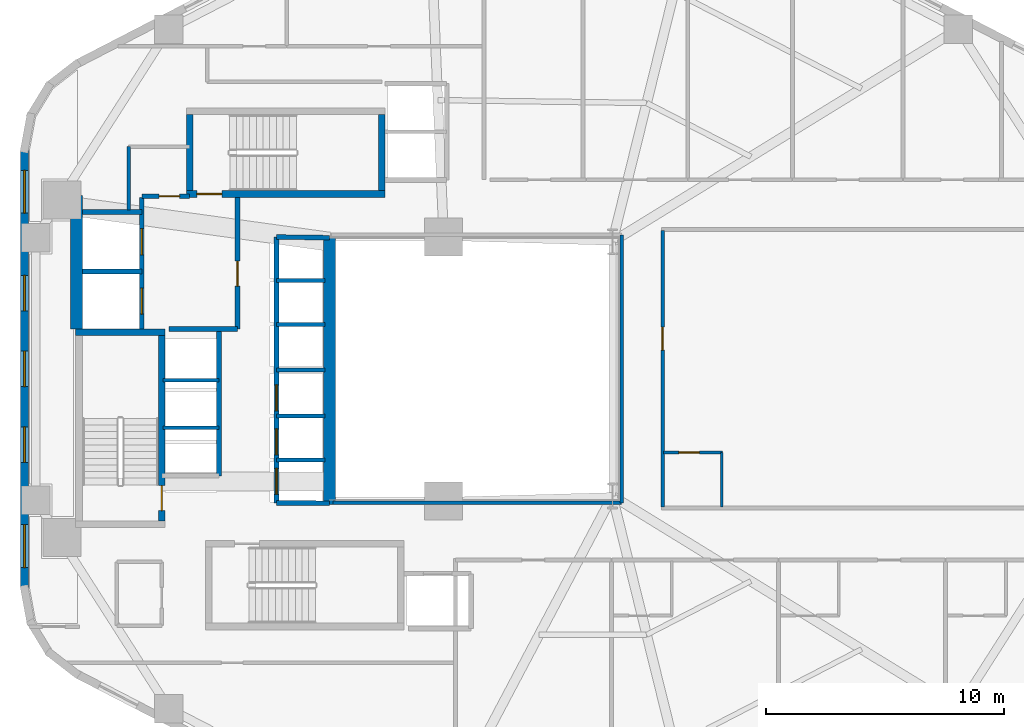
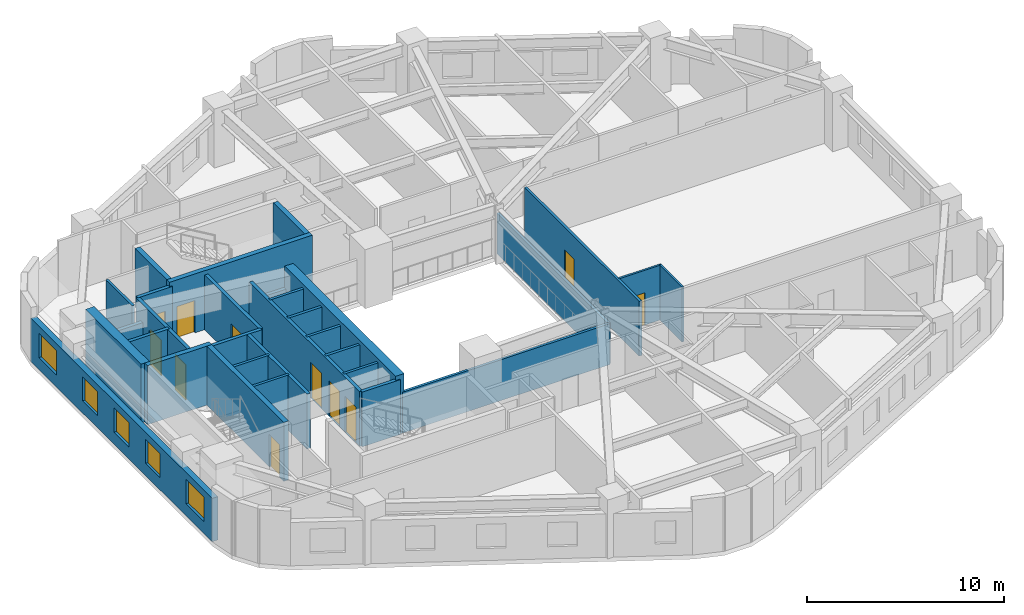
# One storey, part 3 of 7: 31 walls, 11 doors, 5 windows, 16 openings.
"""IFC4 building model written with IfcOpenShell, lengths in metres."""

from ifc_helpers import new_model, si_unit, direction, frame, frame_2d, origin, place, context, subcontext, project, spatial, rectangle, extrude, material, layer, layer_set, type_object, element, fill, save


model = new_model("IFC4")

# Units and contexts
model_context = context("Model", 3, precision=1e-05, world=origin(), true_north=direction((0.0, 1.0)))
body_context = subcontext(model_context, "Body", "Model", "MODEL_VIEW")
ifc_project = project(units=[si_unit("LENGTHUNIT", "METRE"), si_unit("AREAUNIT", "SQUARE_METRE"), si_unit("VOLUMEUNIT", "CUBIC_METRE"), si_unit("PLANEANGLEUNIT", "RADIAN"), si_unit("MASSUNIT", "GRAM", prefix="KILO"), si_unit("THERMODYNAMICTEMPERATUREUNIT", "KELVIN"), si_unit("POWERUNIT", "WATT")], contexts=[model_context])

# Site, building, storey
site_placement = place(None, origin())
site = spatial("IfcSite", under=ifc_project, at=site_placement, CompositionType="ELEMENT")
building_placement = place(site_placement, origin())
building = spatial("IfcBuilding", under=site, at=building_placement, Name="Skarre Station Tower", CompositionType="ELEMENT")
storey_placement = place(building_placement, frame((0.0, 0.0, 85.39990234375)))
storey = spatial("IfcBuildingStorey", under=building, at=storey_placement, Name="L22", CompositionType="ELEMENT", Elevation=85.39990234375)

# Walls
ifc_material_1 = material(Name="Acoustic Steel-Stud Gypsum Partition", Category="steel")
ifc_layer_1 = layer(ifc_material_1, 0.14990234375, Name="Acoustic Steel-Stud Gypsum Partition")
ifc_layer_set_1 = layer_set([ifc_layer_1], Name="Acoustic Steel-Stud Gypsum Partition")
wall_type_1 = type_object("IfcWallType", Name="Fire-Rated Corridor Acoustic Partition 150", PredefinedType="PARTITIONING", material=ifc_layer_set_1)
wall_1_placement = place(storey_placement, frame((19.10009765625, 33.35009765625, 0.0), z_axis=(0.0, 0.0, 1.0), x_axis=(0.0, -1.0, 0.0)))
element("IfcWall", 1, at=wall_1_placement, inside=storey, type_object=wall_type_1, Name="L22 Interior Partition WL-PT-L22-CNW-W", PredefinedType="PARTITIONING", context=body_context, shape_type="SweptSolid", body=[
    extrude(rectangle(XDim=2.655029296875, YDim=0.14990234375, at=frame_2d((1.32763671875, 0.0))), origin(), (0.0, 0.0, 1.0), 3.39013671875),
])
wall_2_placement = place(storey_placement, frame((27.699951171875, 18.360107421875, 0.0), z_axis=(0.0, 0.0, 1.0), x_axis=(1.0, 0.0, 0.0)))
element("IfcWall", 2, at=wall_2_placement, inside=storey, type_object=wall_type_1, Name="L22 Interior Partition WL-PT-L22-ATRW-S", PredefinedType="PARTITIONING", context=body_context, shape_type="SweptSolid", body=[
    extrude(rectangle(XDim=12.14013671875, YDim=0.14990234375, at=frame_2d((6.070068359375, 0.0))), origin(), (0.0, 0.0, 1.0), 2.531005859375),
])
wall_3_placement = place(storey_placement, frame((39.840087890625, 18.360107421875, 0.0), z_axis=(0.0, 0.0, 1.0), x_axis=(0.0, 1.0, 0.0)))
element("IfcWall", 3, at=wall_3_placement, inside=storey, type_object=wall_type_1, Name="L22 Interior Partition WL-PT-L22-ATRW-E", PredefinedType="PARTITIONING", context=body_context, shape_type="SweptSolid", body=[
    extrude(rectangle(XDim=11.27978515625, YDim=0.14990234375, at=frame_2d((5.639892578125, 0.0))), origin(), (0.0, 0.0, 1.0), 2.51318359375),
])

# Wall, opening, door
wall_4_placement = place(storey_placement, frame((41.56005859375, 18.179931640625, 0.0), z_axis=(0.0, 0.0, 1.0), x_axis=(0.0, 1.0, 0.0)))
wall_4 = element("IfcWall", 4, at=wall_4_placement, inside=storey, type_object=wall_type_1, Name="L22 Interior Partition WL-PT-L22-EW1-CW", PredefinedType="PARTITIONING", context=body_context, shape_type="SweptSolid", body=[
    extrude(rectangle(XDim=11.64013671875, YDim=0.14990234375, at=frame_2d((5.820068359375, 0.0))), origin(), (0.0, 0.0, 1.0), 3.39013671875),
])
opening_1_placement = place(wall_4_placement, frame((6.614990234375, 0.0, 0.0)))
opening_1 = element("IfcOpeningElement", 5, at=opening_1_placement, cuts=wall_4, Name="Opening DR-FD60", PredefinedType="OPENING", context=body_context, shape_type="SweptSolid", body=[
    extrude(rectangle(XDim=0.9599609375, YDim=2.0, at=frame_2d((0.47998046875, 1.0))), frame((0.0, 0.0849609375, 0.0), z_axis=(0.0, -1.0, 0.0), x_axis=(1.0, 0.0, 0.0)), (0.0, 0.0, 1.0), 0.169921875),
])
ifc_material_2 = material(Name="Nordic White-Oak Veneer Solid-Core Fire Leaf", Category="wood")
door_type_1 = type_object("IfcDoorType", Name="Corridor Suite Entry Fire Door FD60 960x2150", OperationType="SINGLE_SWING_LEFT", PredefinedType="DOOR", material=ifc_material_2)
door_1_placement = place(opening_1_placement, origin())
door_1 = element("IfcDoor", 6, at=door_1_placement, inside=storey, type_object=door_type_1, Name="L22 EW1 Entry Door", OperationType="SINGLE_SWING_LEFT", OverallHeight=2.0, OverallWidth=0.9599609375, PredefinedType="DOOR", context=body_context, shape_type="SweptSolid", body=[
    extrude(rectangle(XDim=0.9599609375, YDim=2.0, at=frame_2d((0.47998046875, 1.0))), frame((0.0, 0.02490234375, 0.0), z_axis=(0.0, -1.0, 0.0), x_axis=(1.0, 0.0, 0.0)), (0.0, 0.0, 1.0), 0.050048828125),
])
fill(opening_1, door_1)

ifc_material_3 = material(Name="Insulated Timber-Stud Gypsum Partition", Category="wood")
ifc_layer_2 = layer(ifc_material_3, 0.1201171875, Name="Insulated Timber-Stud Gypsum Partition")
ifc_layer_set_2 = layer_set([ifc_layer_2], Name="Insulated Timber-Stud Gypsum Partition")
wall_type_2 = type_object("IfcWallType", Name="Internal Suite Acoustic Partition 120", PredefinedType="PARTITIONING", material=ifc_layer_set_2)
wall_5_placement = place(storey_placement, frame((41.60009765625, 20.47998046875, 0.0), z_axis=(0.0, 0.0, 1.0), x_axis=(1.0, 0.0, 0.0)))
wall_5 = element("IfcWall", 7, at=wall_5_placement, inside=storey, type_object=wall_type_2, Name="L22 Interior Partition WL-PT-L22-EW1-SA1", PredefinedType="PARTITIONING", context=body_context, shape_type="SweptSolid", body=[
    extrude(rectangle(XDim=2.47998046875, YDim=0.1201171875, at=frame_2d((1.239990234375, 0.0))), origin(), (0.0, 0.0, 1.0), 3.39013671875),
])
opening_2_placement = place(wall_5_placement, frame((0.64990234375, 0.0, 0.0)))
opening_2 = element("IfcOpeningElement", 8, at=opening_2_placement, cuts=wall_5, Name="Opening DR-INT86", PredefinedType="OPENING", context=body_context, shape_type="SweptSolid", body=[
    extrude(rectangle(XDim=0.860107421875, YDim=2.0, at=frame_2d((0.43017578125, 1.0))), frame((0.0, 0.070068359375, 0.0), z_axis=(0.0, -1.0, 0.0), x_axis=(1.0, 0.0, 0.0)), (0.0, 0.0, 1.0), 0.14013671875),
])
ifc_material_4 = material(Name="Nordic Birch Acoustic Solid-Core Timber Leaf", Category="wood")
door_type_2 = type_object("IfcDoorType", Name="Internal En-Suite & Bedroom Door 860x2100", OperationType="SINGLE_SWING_LEFT", PredefinedType="DOOR", material=ifc_material_4)
door_2_placement = place(opening_2_placement, origin())
door_2 = element("IfcDoor", 9, at=door_2_placement, inside=storey, type_object=door_type_2, Name="L22 EW1 Alcove Store Door", OperationType="SINGLE_SWING_LEFT", OverallHeight=2.0, OverallWidth=0.860107421875, PredefinedType="DOOR", context=body_context, shape_type="SweptSolid", body=[
    extrude(rectangle(XDim=0.860107421875, YDim=2.0, at=frame_2d((0.43017578125, 1.0))), frame((0.0, 0.02490234375, 0.0), z_axis=(0.0, -1.0, 0.0), x_axis=(1.0, 0.0, 0.0)), (0.0, 0.0, 1.0), 0.050048828125),
])
fill(opening_2, door_2)

# Wall
wall_6_placement = place(storey_placement, frame((44.050048828125, 18.179931640625, 0.0), z_axis=(0.0, 0.0, 1.0), x_axis=(0.0, 1.0, 0.0)))
element("IfcWall", 10, at=wall_6_placement, inside=storey, type_object=wall_type_2, Name="L22 Interior Partition WL-PT-L22-EW1-SA2", PredefinedType="PARTITIONING", context=body_context, shape_type="SweptSolid", body=[
    extrude(rectangle(XDim=2.300048828125, YDim=0.1201171875, at=frame_2d((1.14990234375, 0.0))), origin(), (0.0, 0.0, 1.0), 3.39013671875),
])

# Wall, openings, windows
ifc_material_5 = material(Name="Precast concrete C45/55", Category="concrete")
ifc_layer_3 = layer(ifc_material_5, 0.340087890625, Name="Precast concrete C45/55")
ifc_layer_set_3 = layer_set([ifc_layer_3], Name="Precast concrete C45/55")
wall_type_3 = type_object("IfcWallType", Name="Nordic Honed Precast Facet Wall 340", PredefinedType="STANDARD", material=ifc_layer_set_3)
wall_7_placement = place(storey_placement, frame((14.70703125, 14.798095703125, 0.0), z_axis=(0.0, 0.0, 1.0), x_axis=(0.0, 1.0, 0.0)))
wall_7 = element("IfcWall", 11, at=wall_7_placement, inside=storey, type_object=wall_type_3, Name="L22 Facet 2 Nordic Precast Masonry Wall", PredefinedType="STANDARD", context=body_context, shape_type="SweptSolid", body=[
    extrude(rectangle(XDim=18.40380859375, YDim=0.340087890625, at=frame_2d((9.201904296875, 0.0))), origin(), (0.0, 0.0, 1.0), 2.68408203125),
])
opening_3_placement = place(wall_7_placement, frame((0.844970703125, 0.0, 0.75)))
opening_3 = element("IfcOpeningElement", 12, at=opening_3_placement, cuts=wall_7, Name="Opening WN-Z1A", PredefinedType="OPENING", context=body_context, shape_type="SweptSolid", body=[
    extrude(rectangle(XDim=1.800048828125, YDim=1.5, at=frame_2d((0.89990234375, 0.75))), frame((0.0, 0.179931640625, 0.0), z_axis=(0.0, -1.0, 0.0), x_axis=(1.0, 0.0, 0.0)), (0.0, 0.0, 1.0), 0.360107421875),
])
opening_4_placement = place(wall_7_placement, frame((5.264892578125, 0.0, 0.75)))
opening_4 = element("IfcOpeningElement", 13, at=opening_4_placement, cuts=wall_7, Name="Opening WN-Z1B", PredefinedType="OPENING", context=body_context, shape_type="SweptSolid", body=[
    extrude(rectangle(XDim=1.5, YDim=1.5, at=frame_2d((0.75, 0.75))), frame((0.0, 0.179931640625, 0.0), z_axis=(0.0, -1.0, 0.0), x_axis=(1.0, 0.0, 0.0)), (0.0, 0.0, 1.0), 0.360107421875),
])
opening_5_placement = place(wall_7_placement, frame((8.451904296875, 0.0, 0.75)))
opening_5 = element("IfcOpeningElement", 14, at=opening_5_placement, cuts=wall_7, Name="Opening WN-Z1B", PredefinedType="OPENING", context=body_context, shape_type="SweptSolid", body=[
    extrude(rectangle(XDim=1.5, YDim=1.5, at=frame_2d((0.75, 0.75))), frame((0.0, 0.179931640625, 0.0), z_axis=(0.0, -1.0, 0.0), x_axis=(1.0, 0.0, 0.0)), (0.0, 0.0, 1.0), 0.360107421875),
])
opening_6_placement = place(wall_7_placement, frame((11.638916015625, 0.0, 0.75)))
opening_6 = element("IfcOpeningElement", 15, at=opening_6_placement, cuts=wall_7, Name="Opening WN-Z1B", PredefinedType="OPENING", context=body_context, shape_type="SweptSolid", body=[
    extrude(rectangle(XDim=1.5, YDim=1.5, at=frame_2d((0.75, 0.75))), frame((0.0, 0.179931640625, 0.0), z_axis=(0.0, -1.0, 0.0), x_axis=(1.0, 0.0, 0.0)), (0.0, 0.0, 1.0), 0.360107421875),
])
opening_7_placement = place(wall_7_placement, frame((15.758056640625, 0.0, 0.75)))
opening_7 = element("IfcOpeningElement", 16, at=opening_7_placement, cuts=wall_7, Name="Opening WN-Z1A", PredefinedType="OPENING", context=body_context, shape_type="SweptSolid", body=[
    extrude(rectangle(XDim=1.800048828125, YDim=1.5, at=frame_2d((0.89990234375, 0.75))), frame((0.0, 0.179931640625, 0.0), z_axis=(0.0, -1.0, 0.0), x_axis=(1.0, 0.0, 0.0)), (0.0, 0.0, 1.0), 0.360107421875),
])
ifc_material_6 = material(Name="Low-Iron Triple Glazing with Bronze Anodized Frame", Category="glass")
window_type_1 = type_object("IfcWindowType", Name="Nordic Punched Triple-Glazed Window 1500x1500", PartitioningType="SINGLE_PANEL", PredefinedType="WINDOW", material=ifc_material_6)
window_1_placement = place(opening_4_placement, origin())
window_1 = element("IfcWindow", 17, at=window_1_placement, inside=storey, type_object=window_type_1, Name="L22 Facade Window WL-FAC-L22-F2-2", OverallHeight=1.5, OverallWidth=1.5, PartitioningType="SINGLE_PANEL", PredefinedType="WINDOW", context=body_context, shape_type="SweptSolid", body=[
    extrude(rectangle(XDim=1.5, YDim=1.5, at=frame_2d((0.75, 0.75))), frame((0.0, 0.030029296875, 0.0), z_axis=(0.0, -1.0, 0.0), x_axis=(1.0, 0.0, 0.0)), (0.0, 0.0, 1.0), 0.06005859375),
])
fill(opening_4, window_1)
window_2_placement = place(opening_5_placement, origin())
window_2 = element("IfcWindow", 18, at=window_2_placement, inside=storey, type_object=window_type_1, Name="L22 Facade Window WL-FAC-L22-F2-3", OverallHeight=1.5, OverallWidth=1.5, PartitioningType="SINGLE_PANEL", PredefinedType="WINDOW", context=body_context, shape_type="SweptSolid", body=[
    extrude(rectangle(XDim=1.5, YDim=1.5, at=frame_2d((0.75, 0.75))), frame((0.0, 0.030029296875, 0.0), z_axis=(0.0, -1.0, 0.0), x_axis=(1.0, 0.0, 0.0)), (0.0, 0.0, 1.0), 0.06005859375),
])
fill(opening_5, window_2)
window_3_placement = place(opening_6_placement, origin())
window_3 = element("IfcWindow", 19, at=window_3_placement, inside=storey, type_object=window_type_1, Name="L22 Facade Window WL-FAC-L22-F2-4", OverallHeight=1.5, OverallWidth=1.5, PartitioningType="SINGLE_PANEL", PredefinedType="WINDOW", context=body_context, shape_type="SweptSolid", body=[
    extrude(rectangle(XDim=1.5, YDim=1.5, at=frame_2d((0.75, 0.75))), frame((0.0, 0.030029296875, 0.0), z_axis=(0.0, -1.0, 0.0), x_axis=(1.0, 0.0, 0.0)), (0.0, 0.0, 1.0), 0.06005859375),
])
fill(opening_6, window_3)
window_type_2 = type_object("IfcWindowType", Name="Nordic Punched Triple-Glazed Window 1800x1500", PartitioningType="SINGLE_PANEL", PredefinedType="WINDOW", material=ifc_material_6)
window_4_placement = place(opening_3_placement, origin())
window_4 = element("IfcWindow", 20, at=window_4_placement, inside=storey, type_object=window_type_2, Name="L22 Facade Window WL-FAC-L22-F2-1", OverallHeight=1.5, OverallWidth=1.800048828125, PartitioningType="SINGLE_PANEL", PredefinedType="WINDOW", context=body_context, shape_type="SweptSolid", body=[
    extrude(rectangle(XDim=1.800048828125, YDim=1.5, at=frame_2d((0.89990234375, 0.75))), frame((0.0, 0.030029296875, 0.0), z_axis=(0.0, -1.0, 0.0), x_axis=(1.0, 0.0, 0.0)), (0.0, 0.0, 1.0), 0.06005859375),
])
fill(opening_3, window_4)
window_5_placement = place(opening_7_placement, origin())
window_5 = element("IfcWindow", 21, at=window_5_placement, inside=storey, type_object=window_type_2, Name="L22 Facade Window WL-FAC-L22-F2-5", OverallHeight=1.5, OverallWidth=1.800048828125, PartitioningType="SINGLE_PANEL", PredefinedType="WINDOW", context=body_context, shape_type="SweptSolid", body=[
    extrude(rectangle(XDim=1.800048828125, YDim=1.5, at=frame_2d((0.89990234375, 0.75))), frame((0.0, 0.030029296875, 0.0), z_axis=(0.0, -1.0, 0.0), x_axis=(1.0, 0.0, 0.0)), (0.0, 0.0, 1.0), 0.06005859375),
])
fill(opening_7, window_5)

# Wall
ifc_material_7 = material(Name="Concrete C50/60", Category="concrete")
ifc_layer_4 = layer(ifc_material_7, 0.280029296875, Name="Concrete C50/60")
ifc_layer_set_4 = layer_set([ifc_layer_4], Name="Concrete C50/60")
wall_type_4 = type_object("IfcWallType", Name="RC Core Shear Wall 280", PredefinedType="SHEAR", material=ifc_layer_set_4)
wall_8_placement = place(storey_placement, frame((20.6298828125, 25.5400390625, 0.0), z_axis=(0.0, 0.0, 1.0), x_axis=(-1.0, 0.0, 0.0)))
element("IfcWall", 22, at=wall_8_placement, inside=storey, type_object=wall_type_4, Name="L22 Stair ST-1 North Shear Wall", PredefinedType="SHEAR", context=body_context, shape_type="SweptSolid", body=[
    extrude(rectangle(XDim=3.759765625, YDim=0.280029296875, at=frame_2d((1.8798828125, 0.0))), origin(), (0.0, 0.0, 1.0), 3.650146484375),
])

# Wall, opening, door
wall_9_placement = place(storey_placement, frame((20.489990234375, 17.60009765625, 0.0), z_axis=(0.0, 0.0, 1.0), x_axis=(0.0, 1.0, 0.0)))
wall_9 = element("IfcWall", 23, at=wall_9_placement, inside=storey, type_object=wall_type_4, Name="L22 Stair ST-1 East Shear Wall", PredefinedType="SHEAR", context=body_context, shape_type="SweptSolid", body=[
    extrude(rectangle(XDim=7.7998046875, YDim=0.280029296875, at=frame_2d((3.89990234375, 0.0))), origin(), (0.0, 0.0, 1.0), 3.650146484375),
])
opening_8_placement = place(wall_9_placement, frame((0.43994140625, 0.0, 0.0)))
opening_8 = element("IfcOpeningElement", 24, at=opening_8_placement, cuts=wall_9, Name="Opening DR-FD90", PredefinedType="OPENING", context=body_context, shape_type="SweptSolid", body=[
    extrude(rectangle(XDim=1.050048828125, YDim=2.0, at=frame_2d((0.52490234375, 1.0))), frame((0.0, 0.14990234375, 0.0), z_axis=(0.0, -1.0, 0.0), x_axis=(1.0, 0.0, 0.0)), (0.0, 0.0, 1.0), 0.300048828125),
])
ifc_material_8 = material(Name="Fire-Rated Insulated Steel Frame & Timber Core Leaf", Category="steel")
door_type_3 = type_object("IfcDoorType", Name="Stair & FSAE Lobby Fire Door FD90 1050x2150", OperationType="SINGLE_SWING_RIGHT", PredefinedType="DOOR", material=ifc_material_8)
door_3_placement = place(opening_8_placement, origin())
door_3 = element("IfcDoor", 25, at=door_3_placement, inside=storey, type_object=door_type_3, Name="L22 Stair ST-1 Exit Door", OperationType="SINGLE_SWING_RIGHT", OverallHeight=2.0, OverallWidth=1.050048828125, PredefinedType="DOOR", context=body_context, shape_type="SweptSolid", body=[
    extrude(rectangle(XDim=1.050048828125, YDim=2.0, at=frame_2d((0.52490234375, 1.0))), frame((0.0, 0.02490234375, 0.0), z_axis=(0.0, -1.0, 0.0), x_axis=(1.0, 0.0, 0.0)), (0.0, 0.0, 1.0), 0.050048828125),
])
fill(opening_8, door_3)

wall_10_placement = place(storey_placement, frame((21.52001953125, 31.360107421875, 0.0), z_axis=(0.0, 0.0, 1.0), x_axis=(1.0, 0.0, 0.0)))
wall_10 = element("IfcWall", 26, at=wall_10_placement, inside=storey, type_object=wall_type_4, Name="L22 Stair ST-3 South Shear Wall", PredefinedType="SHEAR", context=body_context, shape_type="SweptSolid", body=[
    extrude(rectangle(XDim=8.35986328125, YDim=0.280029296875, at=frame_2d((4.179931640625, 0.0))), origin(), (0.0, 0.0, 1.0), 3.650146484375),
])
opening_9_placement = place(wall_10_placement, frame((0.449951171875, 0.0, 0.0)))
opening_9 = element("IfcOpeningElement", 27, at=opening_9_placement, cuts=wall_10, Name="Opening DR-FD90", PredefinedType="OPENING", context=body_context, shape_type="SweptSolid", body=[
    extrude(rectangle(XDim=1.050048828125, YDim=2.0, at=frame_2d((0.52490234375, 1.0))), frame((0.0, 0.14990234375, 0.0), z_axis=(0.0, -1.0, 0.0), x_axis=(1.0, 0.0, 0.0)), (0.0, 0.0, 1.0), 0.300048828125),
])
door_4_placement = place(opening_9_placement, origin())
door_4 = element("IfcDoor", 28, at=door_4_placement, inside=storey, type_object=door_type_3, Name="L22 Stair ST-3 & FSAE Lobby Direct Exit Door", OperationType="SINGLE_SWING_LEFT", OverallHeight=2.0, OverallWidth=1.050048828125, PredefinedType="DOOR", context=body_context, shape_type="SweptSolid", body=[
    extrude(rectangle(XDim=1.050048828125, YDim=2.0, at=frame_2d((0.52490234375, 1.0))), frame((0.0, 0.02490234375, 0.0), z_axis=(0.0, -1.0, 0.0), x_axis=(1.0, 0.0, 0.0)), (0.0, 0.0, 1.0), 0.050048828125),
])
fill(opening_9, door_4)

# Walls
for number, where, z_axis, x_axis, name in (
    (29, (21.659912109375, 34.699951171875, 0.0), (0.0, 0.0, 1.0), (0.0, -1.0, 0.0), "L22 Stair ST-3 West Shear Wall"),
    (30, (29.739990234375, 31.5, 0.0), (0.0, 0.0, 1.0), (0.0, 1.0, 0.0), "L22 Stair ST-3 East Shear Wall"),
):
    element("IfcWall", number, at=place(storey_placement, frame(where, z_axis=z_axis, x_axis=x_axis)), inside=storey, type_object=wall_type_4, Name=name, PredefinedType="SHEAR", context=body_context, shape_type="SweptSolid", body=[
        extrude(rectangle(XDim=3.199951171875, YDim=0.280029296875, at=frame_2d((1.60009765625, 0.0))), origin(), (0.0, 0.0, 1.0), 3.650146484375),
    ])
ifc_material_9 = material(Name="Concrete C70/85", Category="concrete")
ifc_layer_5 = layer(ifc_material_9, 0.5, Name="Concrete C70/85")
ifc_layer_set_5 = layer_set([ifc_layer_5], Name="Concrete C70/85")
wall_type_5 = type_object("IfcWallType", Name="RC Core Shear Wall 500", PredefinedType="SHEAR", material=ifc_layer_set_5)
wall_11_placement = place(storey_placement, frame((16.89990234375, 25.679931640625, 0.0), z_axis=(0.0, 0.0, 1.0), x_axis=(0.0, 1.0, 0.0)))
element("IfcWall", 31, at=wall_11_placement, inside=storey, type_object=wall_type_5, Name="L22 Core West-North Shear Wall", PredefinedType="SHEAR", context=body_context, shape_type="SweptSolid", body=[
    extrude(rectangle(XDim=5.6201171875, YDim=0.5, at=frame_2d((2.81005859375, 0.0))), origin(), (0.0, 0.0, 1.0), 3.650146484375),
])
wall_12_placement = place(storey_placement, frame((27.550048828125, 29.550048828125, 0.0), z_axis=(0.0, 0.0, 1.0), x_axis=(0.0, -1.0, 0.0)))
element("IfcWall", 32, at=wall_12_placement, inside=storey, type_object=wall_type_5, Name="L22 Core East Atrium Shear Wall", PredefinedType="SHEAR", context=body_context, shape_type="SweptSolid", body=[
    extrude(rectangle(XDim=11.25, YDim=0.5, at=frame_2d((5.625, 0.0))), origin(), (0.0, 0.0, 1.0), 3.650146484375),
])

# Wall, openings, doors
ifc_material_10 = material(Name="Gypsum Concrete Shaft Assembly C30/37", Category="concrete")
ifc_layer_6 = layer(ifc_material_10, 0.199951171875, Name="Gypsum Concrete Shaft Assembly C30/37")
ifc_layer_set_6 = layer_set([ifc_layer_6], Name="Gypsum Concrete Shaft Assembly C30/37")
wall_type_6 = type_object("IfcWallType", Name="Shaft & Core Fire Partition 200", PredefinedType="PARTITIONING", material=ifc_layer_set_6)
wall_13_placement = place(storey_placement, frame((19.64990234375, 25.679931640625, 0.0), z_axis=(0.0, 0.0, 1.0), x_axis=(0.0, 1.0, 0.0)))
wall_13 = element("IfcWall", 33, at=wall_13_placement, inside=storey, type_object=wall_type_6, Name="L22 Interior Partition WL-PT-L22-FSAE-W", PredefinedType="PARTITIONING", context=body_context, shape_type="SweptSolid", body=[
    extrude(rectangle(XDim=5.5400390625, YDim=0.199951171875, at=frame_2d((2.77001953125, 0.0))), origin(), (0.0, 0.0, 1.0), 3.39013671875),
])
opening_10_placement = place(wall_13_placement, frame((0.6201171875, 0.0, 0.0)))
opening_10 = element("IfcOpeningElement", 34, at=opening_10_placement, cuts=wall_13, Name="Opening LD-FF1", PredefinedType="OPENING", context=body_context, shape_type="SweptSolid", body=[
    extrude(rectangle(XDim=1.10009765625, YDim=2.199951171875, at=frame_2d((0.550048828125, 1.10009765625))), frame((0.0, 0.10986328125, 0.0), z_axis=(0.0, -1.0, 0.0), x_axis=(1.0, 0.0, 0.0)), (0.0, 0.0, 1.0), 0.219970703125),
])
opening_11_placement = place(wall_13_placement, frame((3.1201171875, 0.0, 0.0)))
opening_11 = element("IfcOpeningElement", 35, at=opening_11_placement, cuts=wall_13, Name="Opening LD-FF2", PredefinedType="OPENING", context=body_context, shape_type="SweptSolid", body=[
    extrude(rectangle(XDim=1.10009765625, YDim=2.199951171875, at=frame_2d((0.550048828125, 1.10009765625))), frame((0.0, 0.10986328125, 0.0), z_axis=(0.0, -1.0, 0.0), x_axis=(1.0, 0.0, 0.0)), (0.0, 0.0, 1.0), 0.219970703125),
])
ifc_material_11 = material(Name="Fire-Rated Stainless Steel Grade 316L Sliding Leaves", Category="steel")
door_type_4 = type_object("IfcDoorType", Name="Fire Service Access Elevator Sliding Landing Door 1100x2200", OperationType="SLIDING_TO_LEFT", PredefinedType="DOOR", material=ifc_material_11)
door_5_placement = place(opening_10_placement, origin())
door_5 = element("IfcDoor", 36, at=door_5_placement, inside=storey, type_object=door_type_4, Name="L22 Firefighting Lift LF-FF1 Landing Door", OperationType="SLIDING_TO_LEFT", OverallHeight=2.199951171875, OverallWidth=1.10009765625, PredefinedType="DOOR", context=body_context, shape_type="SweptSolid", body=[
    extrude(rectangle(XDim=1.10009765625, YDim=2.199951171875, at=frame_2d((0.550048828125, 1.10009765625))), frame((0.0, 0.02490234375, 0.0), z_axis=(0.0, -1.0, 0.0), x_axis=(1.0, 0.0, 0.0)), (0.0, 0.0, 1.0), 0.050048828125),
])
fill(opening_10, door_5)
door_6_placement = place(opening_11_placement, origin())
door_6 = element("IfcDoor", 37, at=door_6_placement, inside=storey, type_object=door_type_4, Name="L22 Firefighting Lift LF-FF2 Landing Door", OperationType="SLIDING_TO_LEFT", OverallHeight=2.199951171875, OverallWidth=1.10009765625, PredefinedType="DOOR", context=body_context, shape_type="SweptSolid", body=[
    extrude(rectangle(XDim=1.10009765625, YDim=2.199951171875, at=frame_2d((0.550048828125, 1.10009765625))), frame((0.0, 0.02490234375, 0.0), z_axis=(0.0, -1.0, 0.0), x_axis=(1.0, 0.0, 0.0)), (0.0, 0.0, 1.0), 0.050048828125),
])
fill(opening_11, door_6)

# Wall
wall_14_placement = place(storey_placement, frame((20.79296875, 25.679931640625, 0.0), z_axis=(0.0, 0.0, 1.0), x_axis=(1.0, 0.0, 0.0)))
element("IfcWall", 38, at=wall_14_placement, inside=storey, type_object=wall_type_6, Name="L22 Interior Partition WL-PT-L22-FSAE-S", PredefinedType="PARTITIONING", context=body_context, shape_type="SweptSolid", body=[
    extrude(rectangle(XDim=2.886962890625, YDim=0.199951171875, at=frame_2d((1.443359375, 0.0))), origin(), (0.0, 0.0, 1.0), 3.39013671875),
])

# Wall, opening, door
wall_15_placement = place(storey_placement, frame((23.679931640625, 25.679931640625, 0.0), z_axis=(0.0, 0.0, 1.0), x_axis=(0.0, 1.0, 0.0)))
wall_15 = element("IfcWall", 39, at=wall_15_placement, inside=storey, type_object=wall_type_6, Name="L22 Interior Partition WL-PT-L22-FSAE-E", PredefinedType="PARTITIONING", context=body_context, shape_type="SweptSolid", body=[
    extrude(rectangle(XDim=5.5400390625, YDim=0.199951171875, at=frame_2d((2.77001953125, 0.0))), origin(), (0.0, 0.0, 1.0), 3.39013671875),
])
opening_12_placement = place(wall_15_placement, frame((1.800048828125, 0.0, 0.0)))
opening_12 = element("IfcOpeningElement", 40, at=opening_12_placement, cuts=wall_15, Name="Opening DR-FD90", PredefinedType="OPENING", context=body_context, shape_type="SweptSolid", body=[
    extrude(rectangle(XDim=1.050048828125, YDim=2.0, at=frame_2d((0.52490234375, 1.0))), frame((0.0, 0.10986328125, 0.0), z_axis=(0.0, -1.0, 0.0), x_axis=(1.0, 0.0, 0.0)), (0.0, 0.0, 1.0), 0.219970703125),
])
door_7_placement = place(opening_12_placement, origin())
door_7 = element("IfcDoor", 41, at=door_7_placement, inside=storey, type_object=door_type_3, Name="L22 FSAE Lobby Fire Door", OperationType="SINGLE_SWING_RIGHT", OverallHeight=2.0, OverallWidth=1.050048828125, PredefinedType="DOOR", context=body_context, shape_type="SweptSolid", body=[
    extrude(rectangle(XDim=1.050048828125, YDim=2.0, at=frame_2d((0.52490234375, 1.0))), frame((0.0, 0.02490234375, 0.0), z_axis=(0.0, -1.0, 0.0), x_axis=(1.0, 0.0, 0.0)), (0.0, 0.0, 1.0), 0.050048828125),
])
fill(opening_12, door_7)

wall_16_placement = place(storey_placement, frame((21.659912109375, 31.260009765625, 0.0), z_axis=(0.0, 0.0, 1.0), x_axis=(-1.0, 0.0, 0.0)))
wall_16 = element("IfcWall", 42, at=wall_16_placement, inside=storey, type_object=wall_type_6, Name="L22 Interior Partition WL-PT-L22-FSAE-N", PredefinedType="PARTITIONING", context=body_context, shape_type="SweptSolid", body=[
    extrude(rectangle(XDim=2.010009765625, YDim=0.199951171875, at=frame_2d((1.0048828125, 0.0))), origin(), (0.0, 0.0, 1.0), 3.39013671875),
])
opening_13_placement = place(wall_16_placement, frame((0.419921875, 0.0, 0.0)))
opening_13 = element("IfcOpeningElement", 43, at=opening_13_placement, cuts=wall_16, Name="Opening DR-SVC86", PredefinedType="OPENING", context=body_context, shape_type="SweptSolid", body=[
    extrude(rectangle(XDim=0.860107421875, YDim=2.0, at=frame_2d((0.43017578125, 1.0))), frame((0.0, 0.10986328125, 0.0), z_axis=(0.0, -1.0, 0.0), x_axis=(1.0, 0.0, 0.0)), (0.0, 0.0, 1.0), 0.219970703125),
])
ifc_material_12 = material(Name="Powder-Coated Hollow-Metal Acoustic Fire Leaf", Category="steel")
door_type_5 = type_object("IfcDoorType", Name="Compact Riser Fire Door FD60 860x2100", OperationType="SINGLE_SWING_LEFT", PredefinedType="DOOR", material=ifc_material_12)
door_8_placement = place(opening_13_placement, origin())
door_8 = element("IfcDoor", 44, at=door_8_placement, inside=storey, type_object=door_type_5, Name="L22 Core Service Room Lobby Door", OperationType="SINGLE_SWING_LEFT", OverallHeight=2.0, OverallWidth=0.860107421875, PredefinedType="DOOR", context=body_context, shape_type="SweptSolid", body=[
    extrude(rectangle(XDim=0.860107421875, YDim=2.0, at=frame_2d((0.43017578125, 1.0))), frame((0.0, 0.02490234375, 0.0), z_axis=(0.0, -1.0, 0.0), x_axis=(1.0, 0.0, 0.0)), (0.0, 0.0, 1.0), 0.050048828125),
])
fill(opening_13, door_8)

# Walls
wall_17_placement = place(storey_placement, frame((17.14990234375, 28.10009765625, 0.0), z_axis=(0.0, 0.0, 1.0), x_axis=(1.0, 0.0, 0.0)))
element("IfcWall", 45, at=wall_17_placement, inside=storey, type_object=wall_type_6, Name="L22 Interior Partition WL-PT-L22-FF-DIV", PredefinedType="PARTITIONING", context=body_context, shape_type="SweptSolid", body=[
    extrude(rectangle(XDim=2.5, YDim=0.199951171875, at=frame_2d((1.25, 0.0))), origin(), (0.0, 0.0, 1.0), 3.39013671875),
])
wall_18_placement = place(storey_placement, frame((19.64990234375, 30.60009765625, 0.0), z_axis=(0.0, 0.0, 1.0), x_axis=(-1.0, 0.0, 0.0)))
element("IfcWall", 46, at=wall_18_placement, inside=storey, type_object=wall_type_6, Name="L22 Interior Partition WL-PT-L22-FF-N", PredefinedType="PARTITIONING", context=body_context, shape_type="SweptSolid", body=[
    extrude(rectangle(XDim=2.5, YDim=0.199951171875, at=frame_2d((1.25, 0.0))), origin(), (0.0, 0.0, 1.0), 2.2900390625),
])
wall_19_placement = place(storey_placement, frame((22.89990234375, 19.5, 0.0), z_axis=(0.0, 0.0, 1.0), x_axis=(0.0, 1.0, 0.0)))
element("IfcWall", 47, at=wall_19_placement, inside=storey, type_object=wall_type_6, Name="L22 Interior Partition WL-PT-L22-B3-E", PredefinedType="PARTITIONING", context=body_context, shape_type="SweptSolid", body=[
    extrude(rectangle(XDim=6.0849609375, YDim=0.199951171875, at=frame_2d((3.04248046875, 0.0))), origin(), (0.0, 0.0, 1.0), 3.39013671875),
])
for number, where, z_axis, x_axis, name in (
    (48, (20.550048828125, 21.52001953125, 0.0), (0.0, 0.0, 1.0), (1.0, 0.0, 0.0), "L22 Interior Partition WL-PT-L22-B3-D1"),
    (49, (20.550048828125, 23.52001953125, 0.0), (0.0, 0.0, 1.0), (1.0, 0.0, 0.0), "L22 Interior Partition WL-PT-L22-B3-D2"),
):
    element("IfcWall", number, at=place(storey_placement, frame(where, z_axis=z_axis, x_axis=x_axis)), inside=storey, type_object=wall_type_6, Name=name, PredefinedType="PARTITIONING", context=body_context, shape_type="SweptSolid", body=[
        extrude(rectangle(XDim=2.349853515625, YDim=0.159912109375, at=frame_2d((1.1748046875, 0.0))), origin(), (0.0, 0.0, 1.0), 3.39013671875),
    ])

# Wall, openings, doors
wall_20_placement = place(storey_placement, frame((25.320068359375, 29.550048828125, 0.0), z_axis=(0.0, 0.0, 1.0), x_axis=(0.0, -1.0, 0.0)))
wall_20 = element("IfcWall", 50, at=wall_20_placement, inside=storey, type_object=wall_type_6, Name="L22 Interior Partition WL-PT-L22-B12-W", PredefinedType="PARTITIONING", context=body_context, shape_type="SweptSolid", body=[
    extrude(rectangle(XDim=11.18994140625, YDim=0.199951171875, at=frame_2d((5.594970703125, 0.0))), origin(), (0.0, 0.0, 1.0), 3.39013671875),
])
opening_14_placement = place(wall_20_placement, frame((6.219970703125, 0.0, 0.0)))
opening_14 = element("IfcOpeningElement", 51, at=opening_14_placement, cuts=wall_20, Name="Opening LD-P3", PredefinedType="OPENING", context=body_context, shape_type="SweptSolid", body=[
    extrude(rectangle(XDim=1.10009765625, YDim=2.199951171875, at=frame_2d((0.550048828125, 1.10009765625))), frame((0.0, 0.10986328125, 0.0), z_axis=(0.0, -1.0, 0.0), x_axis=(1.0, 0.0, 0.0)), (0.0, 0.0, 1.0), 0.219970703125),
])
opening_15_placement = place(wall_20_placement, frame((8.070068359375, 0.0, 0.0)))
opening_15 = element("IfcOpeningElement", 52, at=opening_15_placement, cuts=wall_20, Name="Opening LD-P2", PredefinedType="OPENING", context=body_context, shape_type="SweptSolid", body=[
    extrude(rectangle(XDim=1.10009765625, YDim=2.199951171875, at=frame_2d((0.550048828125, 1.10009765625))), frame((0.0, 0.10986328125, 0.0), z_axis=(0.0, -1.0, 0.0), x_axis=(1.0, 0.0, 0.0)), (0.0, 0.0, 1.0), 0.219970703125),
])
opening_16_placement = place(wall_20_placement, frame((9.72998046875, 0.0, 0.0)))
opening_16 = element("IfcOpeningElement", 53, at=opening_16_placement, cuts=wall_20, Name="Opening LD-P1", PredefinedType="OPENING", context=body_context, shape_type="SweptSolid", body=[
    extrude(rectangle(XDim=1.10009765625, YDim=2.199951171875, at=frame_2d((0.550048828125, 1.10009765625))), frame((0.0, 0.10986328125, 0.0), z_axis=(0.0, -1.0, 0.0), x_axis=(1.0, 0.0, 0.0)), (0.0, 0.0, 1.0), 0.219970703125),
])
ifc_material_13 = material(Name="Brushed Bronze Stainless Steel Sliding Leaves", Category="steel")
door_type_6 = type_object("IfcDoorType", Name="Passenger Elevator Center-Parting Sliding Door 1100x2200", OperationType="SLIDING_TO_LEFT", PredefinedType="DOOR", material=ifc_material_13)
door_9_placement = place(opening_14_placement, origin())
door_9 = element("IfcDoor", 54, at=door_9_placement, inside=storey, type_object=door_type_6, Name="L22 Passenger Lift LF-P3 Landing Door", OperationType="SLIDING_TO_LEFT", OverallHeight=2.199951171875, OverallWidth=1.10009765625, PredefinedType="DOOR", context=body_context, shape_type="SweptSolid", body=[
    extrude(rectangle(XDim=1.10009765625, YDim=2.199951171875, at=frame_2d((0.550048828125, 1.10009765625))), frame((0.0, 0.02490234375, 0.0), z_axis=(0.0, -1.0, 0.0), x_axis=(1.0, 0.0, 0.0)), (0.0, 0.0, 1.0), 0.050048828125),
])
fill(opening_14, door_9)
door_10_placement = place(opening_15_placement, origin())
door_10 = element("IfcDoor", 55, at=door_10_placement, inside=storey, type_object=door_type_6, Name="L22 Passenger Lift LF-P2 Landing Door", OperationType="SLIDING_TO_LEFT", OverallHeight=2.199951171875, OverallWidth=1.10009765625, PredefinedType="DOOR", context=body_context, shape_type="SweptSolid", body=[
    extrude(rectangle(XDim=1.10009765625, YDim=2.199951171875, at=frame_2d((0.550048828125, 1.10009765625))), frame((0.0, 0.02490234375, 0.0), z_axis=(0.0, -1.0, 0.0), x_axis=(1.0, 0.0, 0.0)), (0.0, 0.0, 1.0), 0.050048828125),
])
fill(opening_15, door_10)
door_11_placement = place(opening_16_placement, origin())
door_11 = element("IfcDoor", 56, at=door_11_placement, inside=storey, type_object=door_type_6, Name="L22 Passenger Lift LF-P1 Landing Door", OperationType="SLIDING_TO_LEFT", OverallHeight=2.199951171875, OverallWidth=1.10009765625, PredefinedType="DOOR", context=body_context, shape_type="SweptSolid", body=[
    extrude(rectangle(XDim=1.10009765625, YDim=2.199951171875, at=frame_2d((0.550048828125, 1.10009765625))), frame((0.0, 0.02490234375, 0.0), z_axis=(0.0, -1.0, 0.0), x_axis=(1.0, 0.0, 0.0)), (0.0, 0.0, 1.0), 0.050048828125),
])
fill(opening_16, door_11)

# Walls
wall_21_placement = place(storey_placement, frame((25.320068359375, 18.360107421875, 0.0), z_axis=(0.0, 0.0, 1.0), x_axis=(0.999989925833, -0.004488678231, 0.0)))
element("IfcWall", 57, at=wall_21_placement, inside=storey, type_object=wall_type_6, Name="L22 Interior Partition WL-PT-L22-B12-S", PredefinedType="PARTITIONING", context=body_context, shape_type="SweptSolid", body=[
    extrude(rectangle(XDim=2.22998046875, YDim=0.199951171875, at=frame_2d((1.114990234375, 0.0))), origin(), (0.0, 0.0, 1.0), 3.39013671875),
])
wall_22_placement = place(storey_placement, frame((27.550048828125, 29.52001953125, 0.0), z_axis=(0.0, 0.0, 1.0), x_axis=(-0.999909343457, 0.013464949556, 0.0)))
element("IfcWall", 58, at=wall_22_placement, inside=storey, type_object=wall_type_6, Name="L22 Interior Partition WL-PT-L22-B12-N", PredefinedType="PARTITIONING", context=body_context, shape_type="SweptSolid", body=[
    extrude(rectangle(XDim=2.230224609375, YDim=0.199951171875, at=frame_2d((1.115234375, 0.0))), origin(), (0.0, 0.0, 1.0), 2.2900390625),
])
for number, where, z_axis, x_axis, name in (
    (59, (25.320068359375, 20.169921875, 0.0), (0.0, 0.0, 1.0), (1.0, 0.0, 0.0), "L22 Interior Partition WL-PT-L22-B12-D201"),
    (60, (25.320068359375, 22.02001953125, 0.0), (0.0, 0.0, 1.0), (1.0, 0.0, 0.0), "L22 Interior Partition WL-PT-L22-B12-D220"),
    (61, (25.320068359375, 23.949951171875, 0.0), (0.0, 0.0, 1.0), (1.0, 0.0, 0.0), "L22 Interior Partition WL-PT-L22-B12-D239"),
    (62, (25.320068359375, 25.8701171875, 0.0), (0.0, 0.0, 1.0), (1.0, 0.0, 0.0), "L22 Interior Partition WL-PT-L22-B12-D258"),
    (63, (25.320068359375, 27.719970703125, 0.0), (0.0, 0.0, 1.0), (1.0, 0.0, 0.0), "L22 Interior Partition WL-PT-L22-B12-D277"),
):
    element("IfcWall", number, at=place(storey_placement, frame(where, z_axis=z_axis, x_axis=x_axis)), inside=storey, type_object=wall_type_6, Name=name, PredefinedType="PARTITIONING", context=body_context, shape_type="SweptSolid", body=[
        extrude(rectangle(XDim=2.030029296875, YDim=0.159912109375, at=frame_2d((1.01513671875, 0.0))), origin(), (0.0, 0.0, 1.0), 3.39013671875),
    ])

save(model, "model.ifc")
